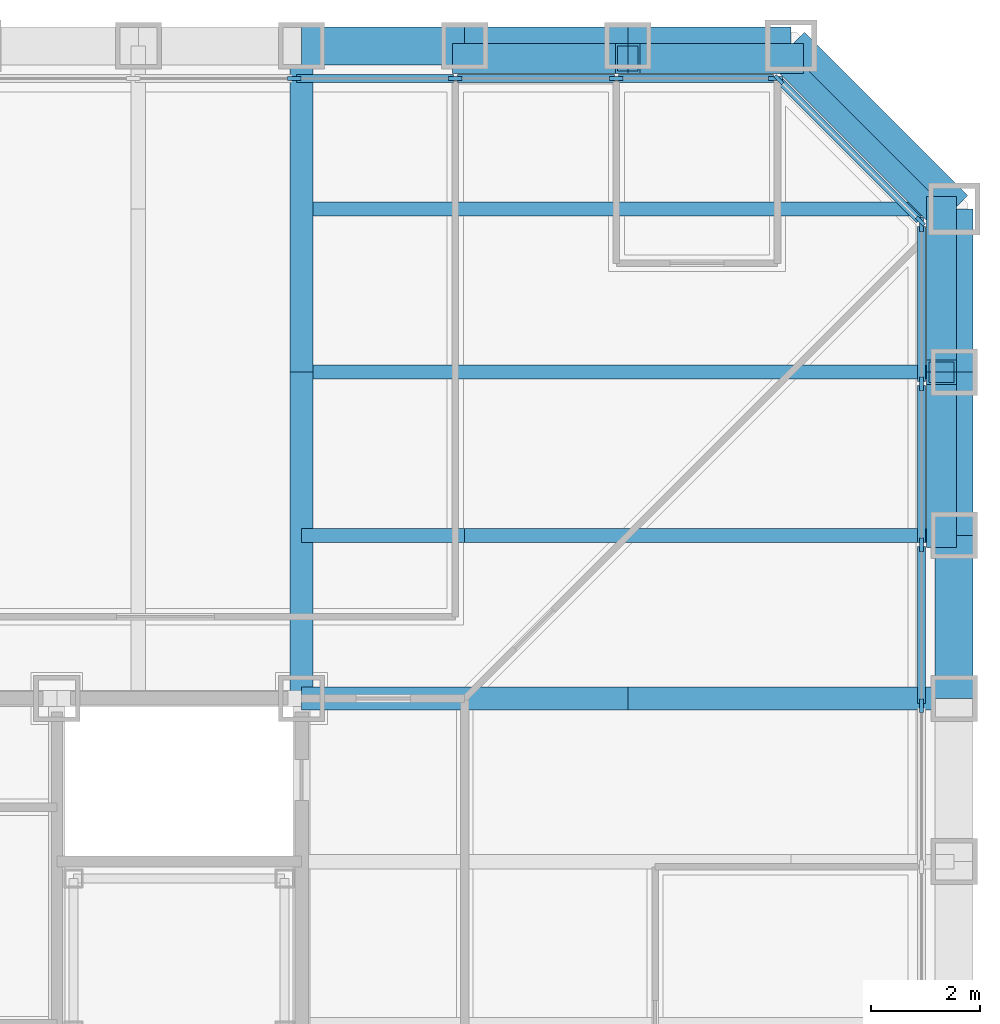
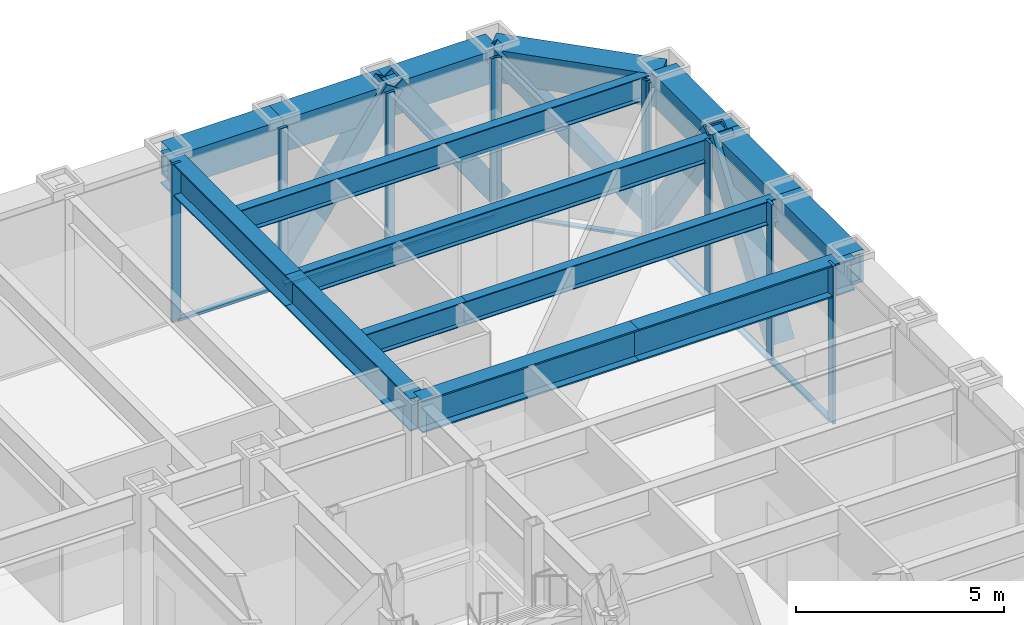
# One storey, part 6 of 17: 22 members, 15 beams, 3 elements without a shape of their own.
"""IFC4 building model written with IfcOpenShell, lengths in metres."""

from ifc_helpers import new_model, si_unit, direction, frame, origin, origin_2d, place, context, subcontext, project, spatial, rectangle, hollow_rectangle, i_section, extrude, material, layer, layer_set, material_profile, profile_set, type_object, element, aggregate, save


model = new_model("IFC4")

# Units and contexts
model_context = context("Model", 3, precision=1e-05, world=origin(), true_north=direction((0.0, 1.0)))
body_context = subcontext(model_context, "Body", "Model", "MODEL_VIEW")
ifc_project = project(units=[si_unit("LENGTHUNIT", "METRE"), si_unit("AREAUNIT", "SQUARE_METRE"), si_unit("VOLUMEUNIT", "CUBIC_METRE"), si_unit("PLANEANGLEUNIT", "RADIAN"), si_unit("MASSUNIT", "GRAM", prefix="KILO")], contexts=[model_context])

# Site, building, storey
site_placement = place(None, origin())
site = spatial("IfcSite", under=ifc_project, at=site_placement, CompositionType="ELEMENT")
building_placement = place(site_placement, origin())
building = spatial("IfcBuilding", under=site, at=building_placement, Name="Chuquiago Exchange Tower", CompositionType="ELEMENT")
storey_placement = place(building_placement, frame((0.0, 0.0, 91.800048828125)))
storey = spatial("IfcBuildingStorey", under=building, at=storey_placement, Name="L19", CompositionType="ELEMENT", Elevation=91.800048828125)

# Beams
ifc_material_1 = material(Name="Steel ASTM A992", Category="steel")
ifc_material_profile_1 = material_profile(ifc_material_1, i_section(OverallWidth=0.256591796875, OverallDepth=0.693359375, WebThickness=0.014404296875, FlangeThickness=0.023681640625, at=origin_2d()), Name="W27X114")
ifc_profile_set_1 = profile_set([ifc_material_profile_1], Name="Steel ASTM A992")
beam_type_1 = type_object("IfcBeamType", Name="B9 W27X114", PredefinedType="BEAM", material=ifc_profile_set_1)
beam_1_placement = place(storey_placement, frame((33.0, 36.0, 3.9931640625), z_axis=(1.0, 0.0, 0.0), x_axis=(0.0, 1.0, 0.0)))
element("IfcBeam", 1, at=beam_1_placement, inside=storey, type_object=beam_type_1, Name="FB-L20-corner-33_36-45_36-0", PredefinedType="BEAM", context=body_context, shape_type="SweptSolid", body=[
    extrude(i_section(OverallWidth=0.256591796875, OverallDepth=0.693359375, WebThickness=0.014404296875, FlangeThickness=0.023681640625, at=origin_2d()), origin(), (0.0, 0.0, 1.0), 3.0),
])
beam_2_placement = place(storey_placement, frame((36.0, 36.0, 3.9931640625), z_axis=(1.0, 0.0, 0.0), x_axis=(0.0, 1.0, 0.0)))
element("IfcBeam", 2, at=beam_2_placement, inside=storey, type_object=beam_type_1, Name="FB-L20-corner-33_36-45_36-1", PredefinedType="BEAM", context=body_context, shape_type="SweptSolid", body=[
    extrude(i_section(OverallWidth=0.256591796875, OverallDepth=0.693359375, WebThickness=0.014404296875, FlangeThickness=0.023681640625, at=origin_2d()), origin(), (0.0, 0.0, 1.0), 9.0),
])
for number, where, z_axis, x_axis, name in (
    (3, (33.0, 39.0, 3.9931640625), (1.0, 0.0, 0.0), (0.0, 1.0, 0.0), "FB-L20-corner-33_39-45_39-0"),
    (4, (33.0, 42.0, 3.9931640625), (1.0, 0.0, 0.0), (0.0, 1.0, 0.0), "FB-L20-corner-33_42-45_42-0"),
):
    element("IfcBeam", number, at=place(storey_placement, frame(where, z_axis=z_axis, x_axis=x_axis)), inside=storey, type_object=beam_type_1, Name=name, PredefinedType="BEAM", context=body_context, shape_type="SweptSolid", body=[
        extrude(i_section(OverallWidth=0.256591796875, OverallDepth=0.693359375, WebThickness=0.014404296875, FlangeThickness=0.023681640625, at=origin_2d()), origin(), (0.0, 0.0, 1.0), 12.0),
    ])

# Curtain wall, members
ifc_material_2 = material(Name="Aluminium curtain wall system", Category="aluminium")
ifc_layer_1 = layer(ifc_material_2, 0.25)
ifc_layer_set_1 = layer_set([ifc_layer_1], Name="CW1 trading floor curtain wall")
curtain_wall_type_1 = type_object("IfcCurtainWallType", Name="CW1 trading floor curtain wall", PredefinedType="NOTDEFINED", material=ifc_layer_set_1)
curtain_wall_1_placement = place(storey_placement, origin())
curtain_wall_1 = element("IfcCurtainWall", 5, at=curtain_wall_1_placement, inside=storey, type_object=curtain_wall_type_1, Name="CW1 curtain wall L19", PredefinedType="NOTDEFINED")
ifc_material_3 = material(Name="Aluminium mullion, pale anodised", Category="aluminium")
ifc_material_profile_2 = material_profile(ifc_material_3, rectangle(XDim=0.074951171875, YDim=0.25, at=origin_2d()), Name="AL 75x250")
ifc_profile_set_2 = profile_set([ifc_material_profile_2], Name="Aluminium mullion, pale anodised")
member_type_1 = type_object("IfcMemberType", Name="CW1-M mullion 75x250", PredefinedType="MULLION", material=ifc_profile_set_2)
member_1_placement = place(storey_placement, frame((44.39990234375, 32.8662109375, -0.300048828125), z_axis=(0.0, 0.0, 1.0), x_axis=(-1.0, 0.0, 0.0)))
member_1 = element("IfcMember", 6, at=member_1_placement, type_object=member_type_1, Name="CW1 mullion 11", PredefinedType="MULLION", context=body_context, shape_type="SweptSolid", body=[
    extrude(rectangle(XDim=0.074951171875, YDim=0.25, at=origin_2d()), origin(), (0.0, 0.0, 1.0), 4.639892578125),
])
member_2_placement = place(storey_placement, frame((44.39990234375, 35.827880859375, -0.300048828125), z_axis=(0.0, 0.0, 1.0), x_axis=(-1.0, 0.0, 0.0)))
member_2 = element("IfcMember", 7, at=member_2_placement, type_object=member_type_1, Name="CW1 mullion 12", PredefinedType="MULLION", context=body_context, shape_type="SweptSolid", body=[
    extrude(rectangle(XDim=0.074951171875, YDim=0.25, at=origin_2d()), origin(), (0.0, 0.0, 1.0), 4.639892578125),
])
member_3_placement = place(storey_placement, frame((44.39990234375, 38.789794921875, -0.300048828125), z_axis=(0.0, 0.0, 1.0), x_axis=(-1.0, 0.0, 0.0)))
member_3 = element("IfcMember", 8, at=member_3_placement, type_object=member_type_1, Name="CW1 mullion 13", PredefinedType="MULLION", context=body_context, shape_type="SweptSolid", body=[
    extrude(rectangle(XDim=0.074951171875, YDim=0.25, at=origin_2d()), origin(), (0.0, 0.0, 1.0), 4.639892578125),
])
member_4_placement = place(storey_placement, frame((44.39990234375, 41.714111328125, -0.300048828125), z_axis=(0.0, 0.0, 1.0), x_axis=(-1.0, 0.0, 0.0)))
member_4 = element("IfcMember", 9, at=member_4_placement, type_object=member_type_1, Name="CW1 mullion 14", PredefinedType="MULLION", context=body_context, shape_type="SweptSolid", body=[
    extrude(rectangle(XDim=0.074951171875, YDim=0.25, at=origin_2d()), origin(), (0.0, 0.0, 1.0), 4.639892578125),
])

curtain_wall_2_placement = place(storey_placement, origin())
curtain_wall_2 = element("IfcCurtainWall", 10, at=curtain_wall_2_placement, inside=storey, type_object=curtain_wall_type_1, Name="CW1 curtain wall L19", PredefinedType="NOTDEFINED")
member_5_placement = place(storey_placement, frame((41.714111328125, 44.39990234375, -0.300048828125), z_axis=(0.0, 0.0, 1.0), x_axis=(0.0, -1.0, 0.0)))
member_5 = element("IfcMember", 11, at=member_5_placement, type_object=member_type_1, Name="CW1 mullion 1", PredefinedType="MULLION", context=body_context, shape_type="SweptSolid", body=[
    extrude(rectangle(XDim=0.074951171875, YDim=0.25, at=origin_2d()), origin(), (0.0, 0.0, 1.0), 4.639892578125),
])
member_6_placement = place(storey_placement, frame((38.789794921875, 44.39990234375, -0.300048828125), z_axis=(0.0, 0.0, 1.0), x_axis=(0.0, -1.0, 0.0)))
member_6 = element("IfcMember", 12, at=member_6_placement, type_object=member_type_1, Name="CW1 mullion 2", PredefinedType="MULLION", context=body_context, shape_type="SweptSolid", body=[
    extrude(rectangle(XDim=0.074951171875, YDim=0.25, at=origin_2d()), origin(), (0.0, 0.0, 1.0), 4.639892578125),
])
member_7_placement = place(storey_placement, frame((35.827880859375, 44.39990234375, -0.300048828125), z_axis=(0.0, 0.0, 1.0), x_axis=(0.0, -1.0, 0.0)))
member_7 = element("IfcMember", 13, at=member_7_placement, type_object=member_type_1, Name="CW1 mullion 3", PredefinedType="MULLION", context=body_context, shape_type="SweptSolid", body=[
    extrude(rectangle(XDim=0.074951171875, YDim=0.25, at=origin_2d()), origin(), (0.0, 0.0, 1.0), 4.639892578125),
])
member_8_placement = place(storey_placement, frame((32.8662109375, 44.39990234375, -0.300048828125), z_axis=(0.0, 0.0, 1.0), x_axis=(0.0, -1.0, 0.0)))
member_8 = element("IfcMember", 14, at=member_8_placement, type_object=member_type_1, Name="CW1 mullion 4", PredefinedType="MULLION", context=body_context, shape_type="SweptSolid", body=[
    extrude(rectangle(XDim=0.074951171875, YDim=0.25, at=origin_2d()), origin(), (0.0, 0.0, 1.0), 4.639892578125),
])

# Member
ifc_material_4 = material(Name="Aluminium transom, pale anodised", Category="aluminium")
ifc_material_profile_3 = material_profile(ifc_material_4, rectangle(XDim=0.14990234375, YDim=0.074951171875, at=origin_2d()), Name="AL 150x75")
ifc_profile_set_3 = profile_set([ifc_material_profile_3], Name="Aluminium transom, pale anodised")
member_type_2 = type_object("IfcMemberType", Name="CW1-T transom 75x150", PredefinedType="MULLION", material=ifc_profile_set_3)
member_9_placement = place(storey_placement, frame((44.39990234375, 32.90380859375, -0.262451171875), z_axis=(0.0, 1.0, 0.0), x_axis=(-1.0, 0.0, 0.0)))
member_9 = element("IfcMember", 15, at=member_9_placement, type_object=member_type_2, Name="CW1 transom 11.1", PredefinedType="MULLION", context=body_context, shape_type="SweptSolid", body=[
    extrude(rectangle(XDim=0.14990234375, YDim=0.074951171875, at=origin_2d()), origin(), (0.0, 0.0, 1.0), 2.88671875),
])

member_10_placement = place(storey_placement, frame((44.39990234375, 35.865478515625, -0.262451171875), z_axis=(0.0, 1.0, 0.0), x_axis=(-1.0, 0.0, 0.0)))
member_10 = element("IfcMember", 16, at=member_10_placement, type_object=member_type_2, Name="CW1 transom 12.1", PredefinedType="MULLION", context=body_context, shape_type="SweptSolid", body=[
    extrude(rectangle(XDim=0.14990234375, YDim=0.074951171875, at=origin_2d()), origin(), (0.0, 0.0, 1.0), 2.88671875),
])

member_11_placement = place(storey_placement, frame((44.39990234375, 38.8271484375, -0.262451171875), z_axis=(0.0, 1.0, 0.0), x_axis=(-1.0, 0.0, 0.0)))
member_11 = element("IfcMember", 17, at=member_11_placement, type_object=member_type_2, Name="CW1 transom 13.1", PredefinedType="MULLION", context=body_context, shape_type="SweptSolid", body=[
    extrude(rectangle(XDim=0.14990234375, YDim=0.074951171875, at=origin_2d()), origin(), (0.0, 0.0, 1.0), 2.849365234375),
])

aggregate(curtain_wall_1, [member_1, member_2, member_3, member_4, member_9, member_10, member_11])

member_12_placement = place(storey_placement, frame((41.676513671875, 44.39990234375, -0.262451171875), z_axis=(-1.0, 0.0, 0.0), x_axis=(0.0, -1.0, 0.0)))
member_12 = element("IfcMember", 18, at=member_12_placement, type_object=member_type_2, Name="CW1 transom 1.1", PredefinedType="MULLION", context=body_context, shape_type="SweptSolid", body=[
    extrude(rectangle(XDim=0.14990234375, YDim=0.074951171875, at=origin_2d()), origin(), (0.0, 0.0, 1.0), 2.849365234375),
])

member_13_placement = place(storey_placement, frame((38.752197265625, 44.39990234375, -0.262451171875), z_axis=(-1.0, 0.0, 0.0), x_axis=(0.0, -1.0, 0.0)))
member_13 = element("IfcMember", 19, at=member_13_placement, type_object=member_type_2, Name="CW1 transom 2.1", PredefinedType="MULLION", context=body_context, shape_type="SweptSolid", body=[
    extrude(rectangle(XDim=0.14990234375, YDim=0.074951171875, at=origin_2d()), origin(), (0.0, 0.0, 1.0), 2.88671875),
])

member_14_placement = place(storey_placement, frame((35.79052734375, 44.39990234375, -0.262451171875), z_axis=(-1.0, 0.0, 0.0), x_axis=(0.0, -1.0, 0.0)))
member_14 = element("IfcMember", 20, at=member_14_placement, type_object=member_type_2, Name="CW1 transom 3.1", PredefinedType="MULLION", context=body_context, shape_type="SweptSolid", body=[
    extrude(rectangle(XDim=0.14990234375, YDim=0.074951171875, at=origin_2d()), origin(), (0.0, 0.0, 1.0), 2.88671875),
])

aggregate(curtain_wall_2, [member_5, member_6, member_7, member_8, member_12, member_13, member_14])

# Curtain wall, members
ifc_material_5 = material(Name="Aluminium curtain wall system", Category="aluminium")
ifc_layer_2 = layer(ifc_material_5, 0.199951171875)
ifc_layer_set_2 = layer_set([ifc_layer_2], Name="CW3 facet curtain wall")
curtain_wall_type_2 = type_object("IfcCurtainWallType", Name="CW3 facet curtain wall", PredefinedType="NOTDEFINED", material=ifc_layer_set_2)
curtain_wall_3_placement = place(storey_placement, origin())
curtain_wall_3 = element("IfcCurtainWall", 21, at=curtain_wall_3_placement, inside=storey, type_object=curtain_wall_type_2, Name="CW3 curtain wall L19", PredefinedType="NOTDEFINED")
ifc_material_6 = material(Name="Aluminium mullion, pale anodised", Category="aluminium")
ifc_material_profile_4 = material_profile(ifc_material_6, rectangle(XDim=0.06494140625, YDim=0.199951171875, at=origin_2d()), Name="AL 65x200")
ifc_profile_set_4 = profile_set([ifc_material_profile_4], Name="Aluminium mullion, pale anodised")
member_type_3 = type_object("IfcMemberType", Name="CW3-M mullion 65x200", PredefinedType="MULLION", material=ifc_profile_set_4)
member_15_placement = place(storey_placement, frame((44.376953125, 41.7744140625, -0.300048828125), z_axis=(0.0, 0.0, 1.0), x_axis=(-0.707106781187, -0.707106781187, 0.0)))
member_15 = element("IfcMember", 22, at=member_15_placement, type_object=member_type_3, Name="CW3 mullion 1", PredefinedType="MULLION", context=body_context, shape_type="SweptSolid", body=[
    extrude(rectangle(XDim=0.06494140625, YDim=0.199951171875, at=origin_2d()), origin(), (0.0, 0.0, 1.0), 4.639892578125),
])
member_16_placement = place(storey_placement, frame((41.7744140625, 44.376953125, -0.300048828125), z_axis=(0.0, 0.0, 1.0), x_axis=(-0.707106781187, -0.707106781187, 0.0)))
member_16 = element("IfcMember", 23, at=member_16_placement, type_object=member_type_3, Name="CW3 mullion 2", PredefinedType="MULLION", context=body_context, shape_type="SweptSolid", body=[
    extrude(rectangle(XDim=0.06494140625, YDim=0.199951171875, at=origin_2d()), origin(), (0.0, 0.0, 1.0), 4.639892578125),
])
ifc_material_7 = material(Name="Aluminium transom, pale anodised", Category="aluminium")
ifc_material_profile_5 = material_profile(ifc_material_7, rectangle(XDim=0.139892578125, YDim=0.06494140625, at=origin_2d()), Name="AL 140x65")
ifc_profile_set_5 = profile_set([ifc_material_profile_5], Name="Aluminium transom, pale anodised")
member_type_4 = type_object("IfcMemberType", Name="CW3-T transom 65x140", PredefinedType="MULLION", material=ifc_profile_set_5)
member_17_placement = place(storey_placement, frame((44.35400390625, 41.79736328125, -0.267578125), z_axis=(-0.707106781187, 0.707106781187, 0.0), x_axis=(-0.707106781187, -0.707106781187, 0.0)))
member_17 = element("IfcMember", 24, at=member_17_placement, type_object=member_type_4, Name="CW3 transom 1.1", PredefinedType="MULLION", context=body_context, shape_type="SweptSolid", body=[
    extrude(rectangle(XDim=0.139892578125, YDim=0.06494140625, at=origin_2d()), origin(), (0.0, 0.0, 1.0), 3.61572265625),
])
aggregate(curtain_wall_3, [member_15, member_16, member_17])

# Beams
ifc_material_8 = material(Name="Steel ASTM A992", Category="steel")
ifc_material_profile_6 = material_profile(ifc_material_8, i_section(OverallWidth=0.424072265625, OverallDepth=0.947509765625, WebThickness=0.02392578125, FlangeThickness=0.042724609375, at=origin_2d()), Name="W36X302")
ifc_profile_set_6 = profile_set([ifc_material_profile_6], Name="Steel ASTM A992")
beam_type_2 = type_object("IfcBeamType", Name="G4 W36X302", PredefinedType="BEAM", material=ifc_profile_set_6)
for number, where, z_axis, x_axis, name in (
    (25, (33.0, 33.0, 3.8662109375), (0.0, 1.0, 0.0), (-1.0, 0.0, 0.0), "FB-L20-girder-33_33-33_45-0"),
    (26, (33.0, 39.0, 3.8662109375), (0.0, 1.0, 0.0), (-1.0, 0.0, 0.0), "FB-L20-girder-33_33-33_45-1"),
    (27, (33.0, 33.0, 3.8662109375), (1.0, 0.0, 0.0), (0.0, 1.0, 0.0), "FB-L20-girder-33_33-45_33-0"),
    (28, (39.0, 33.0, 3.8662109375), (1.0, 0.0, 0.0), (0.0, 1.0, 0.0), "FB-L20-girder-33_33-45_33-1"),
):
    element("IfcBeam", number, at=place(storey_placement, frame(where, z_axis=z_axis, x_axis=x_axis)), inside=storey, type_object=beam_type_2, Name=name, PredefinedType="BEAM", context=body_context, shape_type="SweptSolid", body=[
        extrude(i_section(OverallWidth=0.424072265625, OverallDepth=0.947509765625, WebThickness=0.02392578125, FlangeThickness=0.042724609375, at=origin_2d()), origin(), (0.0, 0.0, 1.0), 6.0),
    ])

# Members
ifc_material_9 = material(Name="Steel ASTM A500 Grade C", Category="steel")
ifc_material_profile_7 = material_profile(ifc_material_9, hollow_rectangle(XDim=0.406494140625, YDim=0.406494140625, WallThickness=0.0146484375, at=origin_2d()), Name="HSS16X16X5/8")
ifc_profile_set_7 = profile_set([ifc_material_profile_7], Name="Steel ASTM A500 Grade C")
member_type_5 = type_object("IfcMemberType", Name="LB4 HSS16X16X5/8", PredefinedType="BRACE", material=ifc_profile_set_7)
member_18_placement = place(storey_placement, frame((44.78662109375, 41.78662109375, 0.0), z_axis=(-0.494305423695, 0.494305423695, 0.715069434538), x_axis=(-0.707106781187, -0.707106781187, 0.0)))
element("IfcMember", 29, at=member_18_placement, inside=storey, type_object=member_type_5, Name="LB-L19-45_42-42_45", PredefinedType="BRACE", context=body_context, shape_type="SweptSolid", body=[
    extrude(hollow_rectangle(XDim=0.406494140625, YDim=0.406494140625, WallThickness=0.0146484375, at=origin_2d()), origin(), (0.0, 0.0, 1.0), 6.069091796875),
])
ifc_material_10 = material(Name="Steel ASTM A572 Grade 50", Category="steel")
ifc_material_profile_8 = material_profile(ifc_material_10, hollow_rectangle(XDim=0.550048828125, YDim=0.550048828125, WallThickness=0.044921875, at=origin_2d()), Name="BOX550X550X45")
ifc_profile_set_8 = profile_set([ifc_material_profile_8], Name="Steel ASTM A572 Grade 50")
member_type_6 = type_object("IfcMemberType", Name="MB1 BOX550X550X45", PredefinedType="BRACE", material=ifc_profile_set_8)
for number, where, z_axis, x_axis, name in (
    (30, (44.77001953125, 36.0, 0.0), (0.0, 0.56863232121, 0.822591808417), (-1.0, 0.0, 0.0), "Mega diagonal L19 E face"),
    (31, (44.77001953125, 42.0, 0.0), (0.0, -0.56863232121, 0.822591808417), (1.0, 0.0, 0.0), "Mega diagonal L19 E face"),
    (32, (42.0, 44.77001953125, 0.0), (-0.56863232121, 0.0, 0.822591808417), (0.0, -1.0, 0.0), "Mega diagonal L19 N face"),
    (33, (36.0, 44.77001953125, 0.0), (0.56863232121, 0.0, 0.822591808417), (0.0, 1.0, 0.0), "Mega diagonal L19 N face"),
):
    element("IfcMember", number, at=place(storey_placement, frame(where, z_axis=z_axis, x_axis=x_axis)), inside=storey, type_object=member_type_6, Name=name, PredefinedType="BRACE", context=body_context, shape_type="SweptSolid", body=[
        extrude(hollow_rectangle(XDim=0.550048828125, YDim=0.550048828125, WallThickness=0.044921875, at=origin_2d()), origin(), (0.0, 0.0, 1.0), 5.27587890625),
    ])

# Beams
ifc_material_11 = material(Name="Steel ASTM A572 Grade 50", Category="steel")
ifc_material_profile_9 = material_profile(ifc_material_11, hollow_rectangle(XDim=0.699951171875, YDim=0.949951171875, WallThickness=0.10009765625, at=origin_2d()), Name="BOX950X700X100")
ifc_profile_set_9 = profile_set([ifc_material_profile_9], Name="Steel ASTM A572 Grade 50")
beam_type_3 = type_object("IfcBeamType", Name="SP5 BOX950X700X100", PredefinedType="SPANDREL", material=ifc_profile_set_9)
for number, where, z_axis, x_axis, name in (
    (34, (45.0, 33.0, 3.864990234375), (0.0, 1.0, 0.0), (-1.0, 0.0, 0.0), "SPB-L20-45_33-45_36"),
    (35, (45.0, 36.0, 3.864990234375), (0.0, 1.0, 0.0), (-1.0, 0.0, 0.0), "SPB-L20-45_36-45_39"),
    (36, (45.0, 39.0, 3.864990234375), (0.0, 1.0, 0.0), (-1.0, 0.0, 0.0), "SPB-L20-45_39-45_42"),
):
    element("IfcBeam", number, at=place(storey_placement, frame(where, z_axis=z_axis, x_axis=x_axis)), inside=storey, type_object=beam_type_3, Name=name, PredefinedType="SPANDREL", context=body_context, shape_type="SweptSolid", body=[
        extrude(hollow_rectangle(XDim=0.699951171875, YDim=0.949951171875, WallThickness=0.10009765625, at=origin_2d()), origin(), (0.0, 0.0, 1.0), 3.0),
    ])
beam_3_placement = place(storey_placement, frame((45.0, 42.0, 3.864990234375), z_axis=(-0.707106781187, 0.707106781187, 0.0), x_axis=(-0.707106781187, -0.707106781187, 0.0)))
element("IfcBeam", 37, at=beam_3_placement, inside=storey, type_object=beam_type_3, Name="SPB-L20-45_42-42_45", PredefinedType="SPANDREL", context=body_context, shape_type="SweptSolid", body=[
    extrude(hollow_rectangle(XDim=0.699951171875, YDim=0.949951171875, WallThickness=0.10009765625, at=origin_2d()), origin(), (0.0, 0.0, 1.0), 4.24267578125),
])
for number, where, z_axis, x_axis, name in (
    (38, (42.0, 45.0, 3.864990234375), (-1.0, 0.0, 0.0), (0.0, -1.0, 0.0), "SPB-L20-42_45-39_45"),
    (39, (39.0, 45.0, 3.864990234375), (-1.0, 0.0, 0.0), (0.0, -1.0, 0.0), "SPB-L20-39_45-36_45"),
    (40, (36.0, 45.0, 3.864990234375), (-1.0, 0.0, 0.0), (0.0, -1.0, 0.0), "SPB-L20-36_45-33_45"),
):
    element("IfcBeam", number, at=place(storey_placement, frame(where, z_axis=z_axis, x_axis=x_axis)), inside=storey, type_object=beam_type_3, Name=name, PredefinedType="SPANDREL", context=body_context, shape_type="SweptSolid", body=[
        extrude(hollow_rectangle(XDim=0.699951171875, YDim=0.949951171875, WallThickness=0.10009765625, at=origin_2d()), origin(), (0.0, 0.0, 1.0), 3.0),
    ])

save(model, "model.ifc")
